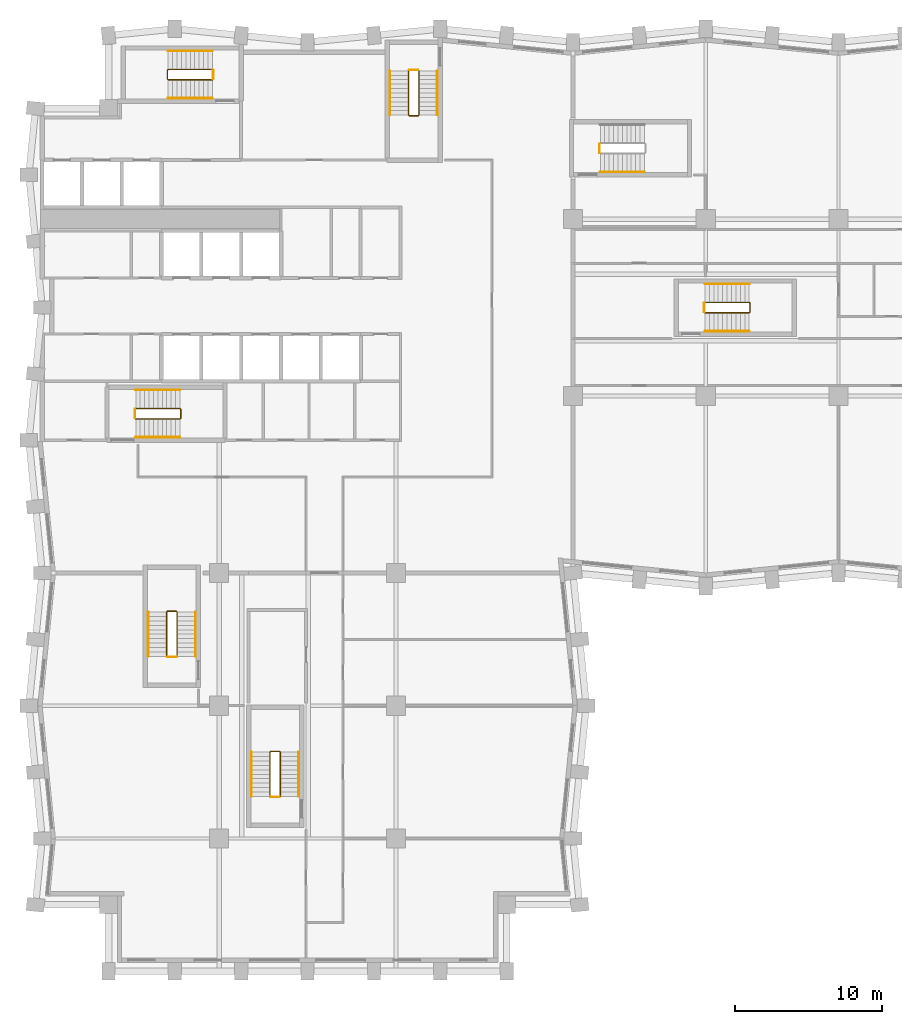
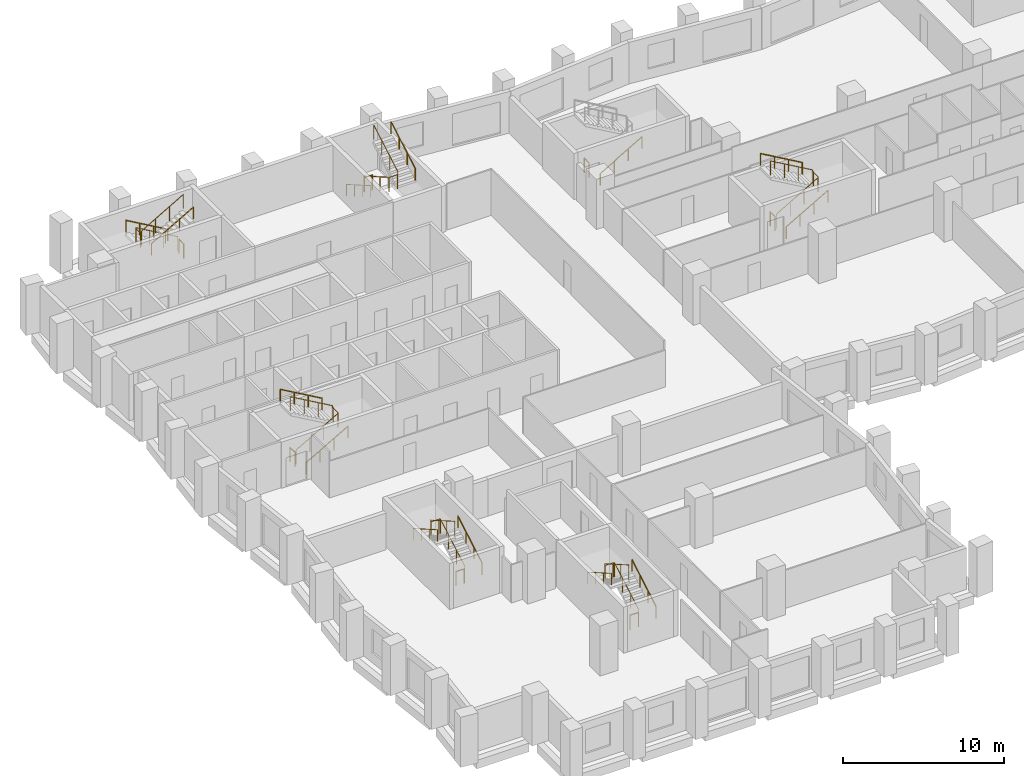
# One storey, part 10 of 11: 26 railings.
"""IFC4 building model written with IfcOpenShell, lengths in metres."""

from ifc_helpers import new_model, si_unit, direction, frame, origin, origin_2d, place, context, subcontext, project, spatial, circle, extrude, material, type_object, element, save


model = new_model("IFC4")

# Units and contexts
model_context = context("Model", 3, precision=1e-05, world=origin(), true_north=direction((0.0, 1.0)))
body_context = subcontext(model_context, "Body", "Model", "MODEL_VIEW")
ifc_project = project(units=[si_unit("LENGTHUNIT", "METRE"), si_unit("AREAUNIT", "SQUARE_METRE"), si_unit("VOLUMEUNIT", "CUBIC_METRE"), si_unit("PLANEANGLEUNIT", "RADIAN"), si_unit("MASSUNIT", "GRAM", prefix="KILO")], contexts=[model_context])

# Site, building, storey
site_placement = place(None, origin())
site = spatial("IfcSite", under=ifc_project, at=site_placement, CompositionType="ELEMENT")
building_placement = place(site_placement, origin())
building = spatial("IfcBuilding", under=site, at=building_placement, Name="Brondeck Convention Tower", CompositionType="ELEMENT")
storey_placement = place(building_placement, frame((0.0, 0.0, 107.5)))
storey = spatial("IfcBuildingStorey", under=building, at=storey_placement, Name="L25", CompositionType="ELEMENT", Elevation=107.5)

# Railings
ifc_material = material(Name="Steel S355", Category="steel")
railing_type_1 = type_object("IfcRailingType", Name="Stair guard 1100", PredefinedType="GUARDRAIL", material=ifc_material)
railing_1_placement = place(storey_placement, frame((6.35009765625, 37.449951171875, 0.172607421875)))
element("IfcRailing", 1, at=railing_1_placement, inside=storey, type_object=railing_type_1, Name="L25 ST-1 stair guard 1", PredefinedType="GUARDRAIL", context=body_context, shape_type="SweptSolid", body=[
    extrude(circle(Radius=0.02392578125, at=origin_2d()), frame((0.0, 0.0, 1.076171875), z_axis=(0.866619684472, 0.0, 0.498969260062), x_axis=(0.0, 1.0, 0.0)), (0.0, 0.0, 1.0), 3.461669921875),
    extrude(circle(Radius=0.02392578125, at=origin_2d()), frame((3.0, 0.0, 2.80322265625), z_axis=(0.705375805398, 0.708833529934, 0.0), x_axis=(-0.708833529934, 0.705375805398, 0.0)), (0.0, 0.0, 1.0), 0.070556640625),
    extrude(circle(Radius=0.02392578125, at=origin_2d()), frame((3.0498046875, 0.050048828125, 2.80322265625), z_axis=(0.0, 1.0, 0.0), x_axis=(-1.0, 0.0, 0.0)), (0.0, 0.0, 1.0), 0.60009765625),
    extrude(circle(Radius=0.02392578125, at=origin_2d()), frame((3.0498046875, 0.650146484375, 2.80322265625), z_axis=(-0.266832911964, 0.266832911964, 0.926067165051), x_axis=(-0.707106781187, -0.707106781187, 0.0)), (0.0, 0.0, 1.0), 0.186767578125),
    extrude(circle(Radius=0.02392578125, at=origin_2d()), frame((3.0, 0.699951171875, 2.97607421875), z_axis=(-0.866619684472, 0.0, 0.498969260062), x_axis=(0.0, -1.0, 0.0)), (0.0, 0.0, 1.0), 3.461669921875),
    extrude(circle(Radius=0.02099609375, at=origin_2d()), origin(), (0.0, 0.0, 1.0), 1.052001953125),
    extrude(circle(Radius=0.02099609375, at=origin_2d()), frame((1.0, 0.0, 0.57568359375)), (0.0, 0.0, 1.0), 1.052001953125),
    extrude(circle(Radius=0.02099609375, at=origin_2d()), frame((2.0, 0.0, 1.151611328125)), (0.0, 0.0, 1.0), 1.052001953125),
    extrude(circle(Radius=0.02099609375, at=origin_2d()), frame((3.0, 0.0, 1.727294921875)), (0.0, 0.0, 1.0), 1.052001953125),
    extrude(circle(Radius=0.02099609375, at=origin_2d()), frame((3.0498046875, 0.050048828125, 1.727294921875)), (0.0, 0.0, 1.0), 1.052001953125),
    extrude(circle(Radius=0.02099609375, at=origin_2d()), frame((3.0498046875, 0.650146484375, 1.727294921875)), (0.0, 0.0, 1.0), 1.052001953125),
    extrude(circle(Radius=0.02099609375, at=origin_2d()), frame((3.0, 0.699951171875, 1.900146484375)), (0.0, 0.0, 1.0), 1.052001953125),
    extrude(circle(Radius=0.02099609375, at=origin_2d()), frame((2.0, 0.699951171875, 2.475830078125)), (0.0, 0.0, 1.0), 1.052001953125),
    extrude(circle(Radius=0.02099609375, at=origin_2d()), frame((1.0, 0.699951171875, 3.0517578125)), (0.0, 0.0, 1.0), 1.052001953125),
    extrude(circle(Radius=0.02099609375, at=origin_2d()), frame((0.0, 0.699951171875, 3.62744140625)), (0.0, 0.0, 1.0), 1.052001953125),
])
railing_2_placement = place(storey_placement, frame((6.300048828125, 37.5, 0.0)))
element("IfcRailing", 2, at=railing_2_placement, inside=storey, type_object=railing_type_1, Name="L25 ST-1 stair guard 2", PredefinedType="GUARDRAIL", context=body_context, shape_type="SweptSolid", body=[
    extrude(circle(Radius=0.02392578125, at=origin_2d()), frame((0.0, 0.0, 1.076171875), z_axis=(0.0, 1.0, 0.0), x_axis=(-1.0, 0.0, 0.0)), (0.0, 0.0, 1.0), 0.60009765625),
    extrude(circle(Radius=0.02099609375, at=origin_2d()), origin(), (0.0, 0.0, 1.0), 1.052001953125),
    extrude(circle(Radius=0.02099609375, at=origin_2d()), frame((0.0, 0.60009765625, 0.0)), (0.0, 0.0, 1.0), 1.052001953125),
])
railing_3_placement = place(storey_placement, frame((24.85009765625, 61.050048828125, 0.172607421875)))
element("IfcRailing", 3, at=railing_3_placement, inside=storey, type_object=railing_type_1, Name="L25 ST-2 stair guard 1", PredefinedType="GUARDRAIL", context=body_context, shape_type="SweptSolid", body=[
    extrude(circle(Radius=0.02392578125, at=origin_2d()), frame((0.0, 0.0, 1.076171875), z_axis=(0.0, -0.866619684472, 0.498969260062), x_axis=(1.0, 0.0, 0.0)), (0.0, 0.0, 1.0), 3.461669921875),
    extrude(circle(Radius=0.02392578125, at=origin_2d()), frame((0.0, -3.0, 2.80322265625), z_axis=(0.705375805398, -0.708833529934, 0.0), x_axis=(0.708833529934, 0.705375805398, 0.0)), (0.0, 0.0, 1.0), 0.070556640625),
    extrude(circle(Radius=0.02392578125, at=origin_2d()), frame((0.0498046875, -3.050048828125, 2.80322265625), z_axis=(1.0, 0.0, 0.0), x_axis=(0.0, 1.0, 0.0)), (0.0, 0.0, 1.0), 0.60009765625),
    extrude(circle(Radius=0.02392578125, at=origin_2d()), frame((0.64990234375, -3.050048828125, 2.80322265625), z_axis=(0.267953482034, 0.267953482034, 0.925419830635), x_axis=(-0.707106781187, 0.707106781187, 0.0)), (0.0, 0.0, 1.0), 0.186767578125),
    extrude(circle(Radius=0.02392578125, at=origin_2d()), frame((0.699951171875, -3.0, 2.97607421875), z_axis=(0.0, 0.866619684472, 0.498969260062), x_axis=(-1.0, 0.0, 0.0)), (0.0, 0.0, 1.0), 3.461669921875),
    extrude(circle(Radius=0.02099609375, at=origin_2d()), origin(), (0.0, 0.0, 1.0), 1.052001953125),
    extrude(circle(Radius=0.02099609375, at=origin_2d()), frame((0.0, -1.0, 0.57568359375)), (0.0, 0.0, 1.0), 1.052001953125),
    extrude(circle(Radius=0.02099609375, at=origin_2d()), frame((0.0, -2.0, 1.151611328125)), (0.0, 0.0, 1.0), 1.052001953125),
    extrude(circle(Radius=0.02099609375, at=origin_2d()), frame((0.0, -3.0, 1.727294921875)), (0.0, 0.0, 1.0), 1.052001953125),
    extrude(circle(Radius=0.02099609375, at=origin_2d()), frame((0.0498046875, -3.050048828125, 1.727294921875)), (0.0, 0.0, 1.0), 1.052001953125),
    extrude(circle(Radius=0.02099609375, at=origin_2d()), frame((0.64990234375, -3.050048828125, 1.727294921875)), (0.0, 0.0, 1.0), 1.052001953125),
    extrude(circle(Radius=0.02099609375, at=origin_2d()), frame((0.699951171875, -3.0, 1.900146484375)), (0.0, 0.0, 1.0), 1.052001953125),
    extrude(circle(Radius=0.02099609375, at=origin_2d()), frame((0.699951171875, -2.0, 2.475830078125)), (0.0, 0.0, 1.0), 1.052001953125),
    extrude(circle(Radius=0.02099609375, at=origin_2d()), frame((0.699951171875, -1.0, 3.0517578125)), (0.0, 0.0, 1.0), 1.052001953125),
    extrude(circle(Radius=0.02099609375, at=origin_2d()), frame((0.699951171875, 0.0, 3.62744140625)), (0.0, 0.0, 1.0), 1.052001953125),
])
railing_4_placement = place(storey_placement, frame((24.89990234375, 61.10009765625, 0.0)))
element("IfcRailing", 4, at=railing_4_placement, inside=storey, type_object=railing_type_1, Name="L25 ST-2 stair guard 2", PredefinedType="GUARDRAIL", context=body_context, shape_type="SweptSolid", body=[
    extrude(circle(Radius=0.02392578125, at=origin_2d()), frame((0.0, 0.0, 1.076171875), z_axis=(1.0, 0.0, 0.0), x_axis=(0.0, 1.0, 0.0)), (0.0, 0.0, 1.0), 0.60009765625),
    extrude(circle(Radius=0.02099609375, at=origin_2d()), origin(), (0.0, 0.0, 1.0), 1.052001953125),
    extrude(circle(Radius=0.02099609375, at=origin_2d()), frame((0.60009765625, 0.0, 0.0)), (0.0, 0.0, 1.0), 1.052001953125),
])
railing_5_placement = place(storey_placement, frame((11.550048828125, 61.14990234375, 0.172607421875)))
element("IfcRailing", 5, at=railing_5_placement, inside=storey, type_object=railing_type_1, Name="L25 ST-3 stair guard 1", PredefinedType="GUARDRAIL", context=body_context, shape_type="SweptSolid", body=[
    extrude(circle(Radius=0.02392578125, at=origin_2d()), frame((0.0, 0.0, 1.076171875), z_axis=(-0.866619684472, 0.0, 0.498969260062), x_axis=(0.0, -1.0, 0.0)), (0.0, 0.0, 1.0), 3.461669921875),
    extrude(circle(Radius=0.02392578125, at=origin_2d()), frame((-3.0, 0.0, 2.80322265625), z_axis=(-0.708833529934, -0.705375805398, 0.0), x_axis=(0.705375805398, -0.708833529934, 0.0)), (0.0, 0.0, 1.0), 0.070556640625),
    extrude(circle(Radius=0.02392578125, at=origin_2d()), frame((-3.050048828125, -0.0498046875, 2.80322265625), z_axis=(0.0, -1.0, 0.0), x_axis=(1.0, 0.0, 0.0)), (0.0, 0.0, 1.0), 0.60009765625),
    extrude(circle(Radius=0.02392578125, at=origin_2d()), frame((-3.050048828125, -0.64990234375, 2.80322265625), z_axis=(0.267953482034, -0.267953482034, 0.925419830635), x_axis=(0.707106781187, 0.707106781187, 0.0)), (0.0, 0.0, 1.0), 0.186767578125),
    extrude(circle(Radius=0.02392578125, at=origin_2d()), frame((-3.0, -0.699951171875, 2.97607421875), z_axis=(0.866619684472, 0.0, 0.498969260062), x_axis=(0.0, 1.0, 0.0)), (0.0, 0.0, 1.0), 3.461669921875),
    extrude(circle(Radius=0.02099609375, at=origin_2d()), origin(), (0.0, 0.0, 1.0), 1.052001953125),
    extrude(circle(Radius=0.02099609375, at=origin_2d()), frame((-1.0, 0.0, 0.57568359375)), (0.0, 0.0, 1.0), 1.052001953125),
    extrude(circle(Radius=0.02099609375, at=origin_2d()), frame((-2.0, 0.0, 1.151611328125)), (0.0, 0.0, 1.0), 1.052001953125),
    extrude(circle(Radius=0.02099609375, at=origin_2d()), frame((-3.0, 0.0, 1.727294921875)), (0.0, 0.0, 1.0), 1.052001953125),
    extrude(circle(Radius=0.02099609375, at=origin_2d()), frame((-3.050048828125, -0.0498046875, 1.727294921875)), (0.0, 0.0, 1.0), 1.052001953125),
    extrude(circle(Radius=0.02099609375, at=origin_2d()), frame((-3.050048828125, -0.64990234375, 1.727294921875)), (0.0, 0.0, 1.0), 1.052001953125),
    extrude(circle(Radius=0.02099609375, at=origin_2d()), frame((-3.0, -0.699951171875, 1.900146484375)), (0.0, 0.0, 1.0), 1.052001953125),
    extrude(circle(Radius=0.02099609375, at=origin_2d()), frame((-2.0, -0.699951171875, 2.475830078125)), (0.0, 0.0, 1.0), 1.052001953125),
    extrude(circle(Radius=0.02099609375, at=origin_2d()), frame((-1.0, -0.699951171875, 3.0517578125)), (0.0, 0.0, 1.0), 1.052001953125),
    extrude(circle(Radius=0.02099609375, at=origin_2d()), frame((0.0, -0.699951171875, 3.62744140625)), (0.0, 0.0, 1.0), 1.052001953125),
])
railing_6_placement = place(storey_placement, frame((11.60009765625, 61.10009765625, 0.0)))
element("IfcRailing", 6, at=railing_6_placement, inside=storey, type_object=railing_type_1, Name="L25 ST-3 stair guard 2", PredefinedType="GUARDRAIL", context=body_context, shape_type="SweptSolid", body=[
    extrude(circle(Radius=0.02392578125, at=origin_2d()), frame((0.0, 0.0, 1.076171875), z_axis=(0.0, -1.0, 0.0), x_axis=(1.0, 0.0, 0.0)), (0.0, 0.0, 1.0), 0.60009765625),
    extrude(circle(Radius=0.02099609375, at=origin_2d()), origin(), (0.0, 0.0, 1.0), 1.052001953125),
    extrude(circle(Radius=0.02099609375, at=origin_2d()), frame((0.0, -0.60009765625, 0.0)), (0.0, 0.0, 1.0), 1.052001953125),
])
railing_7_placement = place(storey_placement, frame((37.800048828125, 55.5, 0.0)))
element("IfcRailing", 7, at=railing_7_placement, inside=storey, type_object=railing_type_1, Name="L25 ST-AE stair guard 2", PredefinedType="GUARDRAIL", context=body_context, shape_type="SweptSolid", body=[
    extrude(circle(Radius=0.02392578125, at=origin_2d()), frame((0.0, 0.0, 1.076171875), z_axis=(0.0, 1.0, 0.0), x_axis=(-1.0, 0.0, 0.0)), (0.0, 0.0, 1.0), 0.60009765625),
    extrude(circle(Radius=0.02099609375, at=origin_2d()), origin(), (0.0, 0.0, 1.0), 1.052001953125),
    extrude(circle(Radius=0.02099609375, at=origin_2d()), frame((0.0, 0.60009765625, 0.0)), (0.0, 0.0, 1.0), 1.052001953125),
])
railing_8_placement = place(storey_placement, frame((9.14990234375, 21.35009765625, 0.172607421875)))
element("IfcRailing", 8, at=railing_8_placement, inside=storey, type_object=railing_type_1, Name="L25 ST-BE stair guard 1", PredefinedType="GUARDRAIL", context=body_context, shape_type="SweptSolid", body=[
    extrude(circle(Radius=0.02392578125, at=origin_2d()), frame((0.0, 0.0, 1.076171875), z_axis=(0.0, 0.866619684472, 0.498969260062), x_axis=(-1.0, 0.0, 0.0)), (0.0, 0.0, 1.0), 3.461669921875),
    extrude(circle(Radius=0.02392578125, at=origin_2d()), frame((0.0, 3.0, 2.80322265625), z_axis=(-0.707106781187, 0.707106781187, 0.0), x_axis=(-0.707106781187, -0.707106781187, 0.0)), (0.0, 0.0, 1.0), 0.0703125),
    extrude(circle(Radius=0.02392578125, at=origin_2d()), frame((-0.0498046875, 3.0498046875, 2.80322265625), z_axis=(-1.0, 0.0, 0.0), x_axis=(0.0, -1.0, 0.0)), (0.0, 0.0, 1.0), 0.60009765625),
    extrude(circle(Radius=0.02392578125, at=origin_2d()), frame((-0.64990234375, 3.0498046875, 2.80322265625), z_axis=(-0.268047150085, -0.266739603011, 0.925743328097), x_axis=(0.705375805398, -0.708833529934, 0.0)), (0.0, 0.0, 1.0), 0.186767578125),
    extrude(circle(Radius=0.02392578125, at=origin_2d()), frame((-0.699951171875, 3.0, 2.97607421875), z_axis=(0.0, -0.866619684472, 0.498969260062), x_axis=(1.0, 0.0, 0.0)), (0.0, 0.0, 1.0), 3.461669921875),
    extrude(circle(Radius=0.02099609375, at=origin_2d()), origin(), (0.0, 0.0, 1.0), 1.052001953125),
    extrude(circle(Radius=0.02099609375, at=origin_2d()), frame((0.0, 1.0, 0.57568359375)), (0.0, 0.0, 1.0), 1.052001953125),
    extrude(circle(Radius=0.02099609375, at=origin_2d()), frame((0.0, 2.0, 1.151611328125)), (0.0, 0.0, 1.0), 1.052001953125),
    extrude(circle(Radius=0.02099609375, at=origin_2d()), frame((0.0, 3.0, 1.727294921875)), (0.0, 0.0, 1.0), 1.052001953125),
    extrude(circle(Radius=0.02099609375, at=origin_2d()), frame((-0.0498046875, 3.0498046875, 1.727294921875)), (0.0, 0.0, 1.0), 1.052001953125),
    extrude(circle(Radius=0.02099609375, at=origin_2d()), frame((-0.64990234375, 3.0498046875, 1.727294921875)), (0.0, 0.0, 1.0), 1.052001953125),
    extrude(circle(Radius=0.02099609375, at=origin_2d()), frame((-0.699951171875, 3.0, 1.900146484375)), (0.0, 0.0, 1.0), 1.052001953125),
    extrude(circle(Radius=0.02099609375, at=origin_2d()), frame((-0.699951171875, 2.0, 2.475830078125)), (0.0, 0.0, 1.0), 1.052001953125),
    extrude(circle(Radius=0.02099609375, at=origin_2d()), frame((-0.699951171875, 1.0, 3.0517578125)), (0.0, 0.0, 1.0), 1.052001953125),
    extrude(circle(Radius=0.02099609375, at=origin_2d()), frame((-0.699951171875, 0.0, 3.62744140625)), (0.0, 0.0, 1.0), 1.052001953125),
])
railing_9_placement = place(storey_placement, frame((9.10009765625, 21.300048828125, 0.0)))
element("IfcRailing", 9, at=railing_9_placement, inside=storey, type_object=railing_type_1, Name="L25 ST-BE stair guard 2", PredefinedType="GUARDRAIL", context=body_context, shape_type="SweptSolid", body=[
    extrude(circle(Radius=0.02392578125, at=origin_2d()), frame((0.0, 0.0, 1.076171875), z_axis=(-1.0, 0.0, 0.0), x_axis=(0.0, -1.0, 0.0)), (0.0, 0.0, 1.0), 0.60009765625),
    extrude(circle(Radius=0.02099609375, at=origin_2d()), origin(), (0.0, 0.0, 1.0), 1.052001953125),
    extrude(circle(Radius=0.02099609375, at=origin_2d()), frame((-0.60009765625, 0.0, 0.0)), (0.0, 0.0, 1.0), 1.052001953125),
])
railing_10_placement = place(storey_placement, frame((44.949951171875, 44.64990234375, 0.172607421875)))
element("IfcRailing", 10, at=railing_10_placement, inside=storey, type_object=railing_type_1, Name="L25 ST-AF stair guard 1", PredefinedType="GUARDRAIL", context=body_context, shape_type="SweptSolid", body=[
    extrude(circle(Radius=0.02392578125, at=origin_2d()), frame((0.0, 0.0, 1.076171875), z_axis=(0.866619684472, 0.0, 0.498969260062), x_axis=(0.0, 1.0, 0.0)), (0.0, 0.0, 1.0), 3.461669921875),
    extrude(circle(Radius=0.02392578125, at=origin_2d()), frame((3.0, 0.0, 2.80322265625), z_axis=(0.707106781187, 0.707106781187, 0.0), x_axis=(-0.707106781187, 0.707106781187, 0.0)), (0.0, 0.0, 1.0), 0.07080078125),
    extrude(circle(Radius=0.02392578125, at=origin_2d()), frame((3.050048828125, 0.050048828125, 2.80322265625), z_axis=(0.0, 1.0, 0.0), x_axis=(-1.0, 0.0, 0.0)), (0.0, 0.0, 1.0), 0.60009765625),
    extrude(circle(Radius=0.02392578125, at=origin_2d()), frame((3.050048828125, 0.650146484375, 2.80322265625), z_axis=(-0.267953482034, 0.267953482034, 0.925419830635), x_axis=(-0.707106781187, -0.707106781187, 0.0)), (0.0, 0.0, 1.0), 0.186767578125),
    extrude(circle(Radius=0.02392578125, at=origin_2d()), frame((3.0, 0.7001953125, 2.97607421875), z_axis=(-0.866619684472, 0.0, 0.498969260062), x_axis=(0.0, -1.0, 0.0)), (0.0, 0.0, 1.0), 3.461669921875),
    extrude(circle(Radius=0.02099609375, at=origin_2d()), origin(), (0.0, 0.0, 1.0), 1.052001953125),
    extrude(circle(Radius=0.02099609375, at=origin_2d()), frame((1.0, 0.0, 0.57568359375)), (0.0, 0.0, 1.0), 1.052001953125),
    extrude(circle(Radius=0.02099609375, at=origin_2d()), frame((2.0, 0.0, 1.151611328125)), (0.0, 0.0, 1.0), 1.052001953125),
    extrude(circle(Radius=0.02099609375, at=origin_2d()), frame((3.0, 0.0, 1.727294921875)), (0.0, 0.0, 1.0), 1.052001953125),
    extrude(circle(Radius=0.02099609375, at=origin_2d()), frame((3.050048828125, 0.050048828125, 1.727294921875)), (0.0, 0.0, 1.0), 1.052001953125),
    extrude(circle(Radius=0.02099609375, at=origin_2d()), frame((3.050048828125, 0.650146484375, 1.727294921875)), (0.0, 0.0, 1.0), 1.052001953125),
    extrude(circle(Radius=0.02099609375, at=origin_2d()), frame((3.0, 0.7001953125, 1.900146484375)), (0.0, 0.0, 1.0), 1.052001953125),
    extrude(circle(Radius=0.02099609375, at=origin_2d()), frame((2.0, 0.7001953125, 2.475830078125)), (0.0, 0.0, 1.0), 1.052001953125),
    extrude(circle(Radius=0.02099609375, at=origin_2d()), frame((1.0, 0.7001953125, 3.0517578125)), (0.0, 0.0, 1.0), 1.052001953125),
    extrude(circle(Radius=0.02099609375, at=origin_2d()), frame((0.0, 0.7001953125, 3.62744140625)), (0.0, 0.0, 1.0), 1.052001953125),
])
railing_11_placement = place(storey_placement, frame((44.89990234375, 44.699951171875, 0.0)))
element("IfcRailing", 11, at=railing_11_placement, inside=storey, type_object=railing_type_1, Name="L25 ST-AF stair guard 2", PredefinedType="GUARDRAIL", context=body_context, shape_type="SweptSolid", body=[
    extrude(circle(Radius=0.02392578125, at=origin_2d()), frame((0.0, 0.0, 1.076171875), z_axis=(0.0, 1.0, 0.0), x_axis=(-1.0, 0.0, 0.0)), (0.0, 0.0, 1.0), 0.60009765625),
    extrude(circle(Radius=0.02099609375, at=origin_2d()), origin(), (0.0, 0.0, 1.0), 1.052001953125),
    extrude(circle(Radius=0.02099609375, at=origin_2d()), frame((0.0, 0.60009765625, 0.0)), (0.0, 0.0, 1.0), 1.052001953125),
])
railing_12_placement = place(storey_placement, frame((16.14990234375, 11.85009765625, 0.172607421875)))
element("IfcRailing", 12, at=railing_12_placement, inside=storey, type_object=railing_type_1, Name="L25 ST-BF stair guard 1", PredefinedType="GUARDRAIL", context=body_context, shape_type="SweptSolid", body=[
    extrude(circle(Radius=0.02392578125, at=origin_2d()), frame((0.0, 0.0, 1.076171875), z_axis=(0.0, 0.866619684472, 0.498969260062), x_axis=(-1.0, 0.0, 0.0)), (0.0, 0.0, 1.0), 3.461669921875),
    extrude(circle(Radius=0.02392578125, at=origin_2d()), frame((0.0, 3.0, 2.80322265625), z_axis=(-0.707106781187, 0.707106781187, 0.0), x_axis=(-0.707106781187, -0.707106781187, 0.0)), (0.0, 0.0, 1.0), 0.0703125),
    extrude(circle(Radius=0.02392578125, at=origin_2d()), frame((-0.0498046875, 3.0498046875, 2.80322265625), z_axis=(-1.0, 0.0, 0.0), x_axis=(0.0, -1.0, 0.0)), (0.0, 0.0, 1.0), 0.60009765625),
    extrude(circle(Radius=0.02392578125, at=origin_2d()), frame((-0.64990234375, 3.0498046875, 2.80322265625), z_axis=(-0.268047150085, -0.266739603011, 0.925743328097), x_axis=(0.705375805398, -0.708833529934, 0.0)), (0.0, 0.0, 1.0), 0.186767578125),
    extrude(circle(Radius=0.02392578125, at=origin_2d()), frame((-0.699951171875, 3.0, 2.97607421875), z_axis=(0.0, -0.866619684472, 0.498969260062), x_axis=(1.0, 0.0, 0.0)), (0.0, 0.0, 1.0), 3.461669921875),
    extrude(circle(Radius=0.02099609375, at=origin_2d()), origin(), (0.0, 0.0, 1.0), 1.052001953125),
    extrude(circle(Radius=0.02099609375, at=origin_2d()), frame((0.0, 1.0, 0.57568359375)), (0.0, 0.0, 1.0), 1.052001953125),
    extrude(circle(Radius=0.02099609375, at=origin_2d()), frame((0.0, 2.0, 1.151611328125)), (0.0, 0.0, 1.0), 1.052001953125),
    extrude(circle(Radius=0.02099609375, at=origin_2d()), frame((0.0, 3.0, 1.727294921875)), (0.0, 0.0, 1.0), 1.052001953125),
    extrude(circle(Radius=0.02099609375, at=origin_2d()), frame((-0.0498046875, 3.0498046875, 1.727294921875)), (0.0, 0.0, 1.0), 1.052001953125),
    extrude(circle(Radius=0.02099609375, at=origin_2d()), frame((-0.64990234375, 3.0498046875, 1.727294921875)), (0.0, 0.0, 1.0), 1.052001953125),
    extrude(circle(Radius=0.02099609375, at=origin_2d()), frame((-0.699951171875, 3.0, 1.900146484375)), (0.0, 0.0, 1.0), 1.052001953125),
    extrude(circle(Radius=0.02099609375, at=origin_2d()), frame((-0.699951171875, 2.0, 2.475830078125)), (0.0, 0.0, 1.0), 1.052001953125),
    extrude(circle(Radius=0.02099609375, at=origin_2d()), frame((-0.699951171875, 1.0, 3.0517578125)), (0.0, 0.0, 1.0), 1.052001953125),
    extrude(circle(Radius=0.02099609375, at=origin_2d()), frame((-0.699951171875, 0.0, 3.62744140625)), (0.0, 0.0, 1.0), 1.052001953125),
])
railing_13_placement = place(storey_placement, frame((16.10009765625, 11.800048828125, 0.0)))
element("IfcRailing", 13, at=railing_13_placement, inside=storey, type_object=railing_type_1, Name="L25 ST-BF stair guard 2", PredefinedType="GUARDRAIL", context=body_context, shape_type="SweptSolid", body=[
    extrude(circle(Radius=0.02392578125, at=origin_2d()), frame((0.0, 0.0, 1.076171875), z_axis=(-1.0, 0.0, 0.0), x_axis=(0.0, -1.0, 0.0)), (0.0, 0.0, 1.0), 0.60009765625),
    extrude(circle(Radius=0.02099609375, at=origin_2d()), origin(), (0.0, 0.0, 1.0), 1.052001953125),
    extrude(circle(Radius=0.02099609375, at=origin_2d()), frame((-0.60009765625, 0.0, 0.0)), (0.0, 0.0, 1.0), 1.052001953125),
])
railing_type_2 = type_object("IfcRailingType", Name="Stair handrail", PredefinedType="HANDRAIL", material=ifc_material)
railing_14_placement = place(storey_placement, frame((6.35009765625, 36.199951171875, 0.172607421875)))
element("IfcRailing", 14, at=railing_14_placement, inside=storey, type_object=railing_type_2, Name="L25 ST-1 stair handrail 1", PredefinedType="HANDRAIL", context=body_context, shape_type="SweptSolid", body=[
    extrude(circle(Radius=0.02392578125, at=origin_2d()), frame((0.0, 0.0, 0.8759765625), z_axis=(0.866619684472, 0.0, 0.498969260062), x_axis=(0.0, 1.0, 0.0)), (0.0, 0.0, 1.0), 3.461669921875),
    extrude(circle(Radius=0.02099609375, at=origin_2d()), origin(), (0.0, 0.0, 1.0), 0.851806640625),
    extrude(circle(Radius=0.02099609375, at=origin_2d()), frame((1.0, 0.0, 0.57568359375)), (0.0, 0.0, 1.0), 0.851806640625),
    extrude(circle(Radius=0.02099609375, at=origin_2d()), frame((2.0, 0.0, 1.151611328125)), (0.0, 0.0, 1.0), 0.851806640625),
    extrude(circle(Radius=0.02099609375, at=origin_2d()), frame((3.0, 0.0, 1.727294921875)), (0.0, 0.0, 1.0), 0.851806640625),
])
railing_15_placement = place(storey_placement, frame((9.35009765625, 39.39990234375, 2.07275390625)))
element("IfcRailing", 15, at=railing_15_placement, inside=storey, type_object=railing_type_2, Name="L25 ST-1 stair handrail 2", PredefinedType="HANDRAIL", context=body_context, shape_type="SweptSolid", body=[
    extrude(circle(Radius=0.02392578125, at=origin_2d()), frame((0.0, 0.0, 0.8759765625), z_axis=(-0.866619684472, 0.0, 0.498969260062), x_axis=(0.0, -1.0, 0.0)), (0.0, 0.0, 1.0), 3.461669921875),
    extrude(circle(Radius=0.02099609375, at=origin_2d()), origin(), (0.0, 0.0, 1.0), 0.851806640625),
    extrude(circle(Radius=0.02099609375, at=origin_2d()), frame((-1.0, 0.0, 0.57568359375)), (0.0, 0.0, 1.0), 0.851806640625),
    extrude(circle(Radius=0.02099609375, at=origin_2d()), frame((-2.0, 0.0, 1.151611328125)), (0.0, 0.0, 1.0), 0.851806640625),
    extrude(circle(Radius=0.02099609375, at=origin_2d()), frame((-3.0, 0.0, 1.727294921875)), (0.0, 0.0, 1.0), 0.851806640625),
])
railing_16_placement = place(storey_placement, frame((23.60009765625, 61.050048828125, 0.172607421875)))
element("IfcRailing", 16, at=railing_16_placement, inside=storey, type_object=railing_type_2, Name="L25 ST-2 stair handrail 1", PredefinedType="HANDRAIL", context=body_context, shape_type="SweptSolid", body=[
    extrude(circle(Radius=0.02392578125, at=origin_2d()), frame((0.0, 0.0, 0.8759765625), z_axis=(0.0, -0.866619684472, 0.498969260062), x_axis=(1.0, 0.0, 0.0)), (0.0, 0.0, 1.0), 3.461669921875),
    extrude(circle(Radius=0.02099609375, at=origin_2d()), origin(), (0.0, 0.0, 1.0), 0.851806640625),
    extrude(circle(Radius=0.02099609375, at=origin_2d()), frame((0.0, -1.0, 0.57568359375)), (0.0, 0.0, 1.0), 0.851806640625),
    extrude(circle(Radius=0.02099609375, at=origin_2d()), frame((0.0, -2.0, 1.151611328125)), (0.0, 0.0, 1.0), 0.851806640625),
    extrude(circle(Radius=0.02099609375, at=origin_2d()), frame((0.0, -3.0, 1.727294921875)), (0.0, 0.0, 1.0), 0.851806640625),
])
railing_17_placement = place(storey_placement, frame((26.800048828125, 58.050048828125, 2.07275390625)))
element("IfcRailing", 17, at=railing_17_placement, inside=storey, type_object=railing_type_2, Name="L25 ST-2 stair handrail 2", PredefinedType="HANDRAIL", context=body_context, shape_type="SweptSolid", body=[
    extrude(circle(Radius=0.02392578125, at=origin_2d()), frame((0.0, 0.0, 0.8759765625), z_axis=(0.0, 0.866619684472, 0.498969260062), x_axis=(-1.0, 0.0, 0.0)), (0.0, 0.0, 1.0), 3.461669921875),
    extrude(circle(Radius=0.02099609375, at=origin_2d()), origin(), (0.0, 0.0, 1.0), 0.851806640625),
    extrude(circle(Radius=0.02099609375, at=origin_2d()), frame((0.0, 1.0, 0.57568359375)), (0.0, 0.0, 1.0), 0.851806640625),
    extrude(circle(Radius=0.02099609375, at=origin_2d()), frame((0.0, 2.0, 1.151611328125)), (0.0, 0.0, 1.0), 0.851806640625),
    extrude(circle(Radius=0.02099609375, at=origin_2d()), frame((0.0, 3.0, 1.727294921875)), (0.0, 0.0, 1.0), 0.851806640625),
])
railing_18_placement = place(storey_placement, frame((11.550048828125, 62.39990234375, 0.172607421875)))
element("IfcRailing", 18, at=railing_18_placement, inside=storey, type_object=railing_type_2, Name="L25 ST-3 stair handrail 1", PredefinedType="HANDRAIL", context=body_context, shape_type="SweptSolid", body=[
    extrude(circle(Radius=0.02392578125, at=origin_2d()), frame((0.0, 0.0, 0.8759765625), z_axis=(-0.866619684472, 0.0, 0.498969260062), x_axis=(0.0, -1.0, 0.0)), (0.0, 0.0, 1.0), 3.461669921875),
    extrude(circle(Radius=0.02099609375, at=origin_2d()), origin(), (0.0, 0.0, 1.0), 0.851806640625),
    extrude(circle(Radius=0.02099609375, at=origin_2d()), frame((-1.0, 0.0, 0.57568359375)), (0.0, 0.0, 1.0), 0.851806640625),
    extrude(circle(Radius=0.02099609375, at=origin_2d()), frame((-2.0, 0.0, 1.151611328125)), (0.0, 0.0, 1.0), 0.851806640625),
    extrude(circle(Radius=0.02099609375, at=origin_2d()), frame((-3.0, 0.0, 1.727294921875)), (0.0, 0.0, 1.0), 0.851806640625),
])
for number, where, name in (
    (19, (8.550048828125, 59.199951171875, 2.07275390625), "L25 ST-3 stair handrail 2"),
    (20, (37.85009765625, 54.199951171875, 0.172607421875), "L25 ST-AE stair handrail 1"),
):
    element("IfcRailing", number, at=place(storey_placement, frame(where)), inside=storey, type_object=railing_type_2, Name=name, PredefinedType="HANDRAIL", context=body_context, shape_type="SweptSolid", body=[
        extrude(circle(Radius=0.02392578125, at=origin_2d()), frame((0.0, 0.0, 0.8759765625), z_axis=(0.866619684472, 0.0, 0.498969260062), x_axis=(0.0, 1.0, 0.0)), (0.0, 0.0, 1.0), 3.461669921875),
        extrude(circle(Radius=0.02099609375, at=origin_2d()), origin(), (0.0, 0.0, 1.0), 0.851806640625),
        extrude(circle(Radius=0.02099609375, at=origin_2d()), frame((1.0, 0.0, 0.57568359375)), (0.0, 0.0, 1.0), 0.851806640625),
        extrude(circle(Radius=0.02099609375, at=origin_2d()), frame((2.0, 0.0, 1.151611328125)), (0.0, 0.0, 1.0), 0.851806640625),
        extrude(circle(Radius=0.02099609375, at=origin_2d()), frame((3.0, 0.0, 1.727294921875)), (0.0, 0.0, 1.0), 0.851806640625),
    ])
railing_19_placement = place(storey_placement, frame((10.39990234375, 21.35009765625, 0.172607421875)))
element("IfcRailing", 21, at=railing_19_placement, inside=storey, type_object=railing_type_2, Name="L25 ST-BE stair handrail 1", PredefinedType="HANDRAIL", context=body_context, shape_type="SweptSolid", body=[
    extrude(circle(Radius=0.02392578125, at=origin_2d()), frame((0.0, 0.0, 0.8759765625), z_axis=(0.0, 0.866619684472, 0.498969260062), x_axis=(-1.0, 0.0, 0.0)), (0.0, 0.0, 1.0), 3.461669921875),
    extrude(circle(Radius=0.02099609375, at=origin_2d()), origin(), (0.0, 0.0, 1.0), 0.851806640625),
    extrude(circle(Radius=0.02099609375, at=origin_2d()), frame((0.0, 1.0, 0.57568359375)), (0.0, 0.0, 1.0), 0.851806640625),
    extrude(circle(Radius=0.02099609375, at=origin_2d()), frame((0.0, 2.0, 1.151611328125)), (0.0, 0.0, 1.0), 0.851806640625),
    extrude(circle(Radius=0.02099609375, at=origin_2d()), frame((0.0, 3.0, 1.727294921875)), (0.0, 0.0, 1.0), 0.851806640625),
])
railing_20_placement = place(storey_placement, frame((7.199951171875, 24.35009765625, 2.07275390625)))
element("IfcRailing", 22, at=railing_20_placement, inside=storey, type_object=railing_type_2, Name="L25 ST-BE stair handrail 2", PredefinedType="HANDRAIL", context=body_context, shape_type="SweptSolid", body=[
    extrude(circle(Radius=0.02392578125, at=origin_2d()), frame((0.0, 0.0, 0.8759765625), z_axis=(0.0, -0.866619684472, 0.498969260062), x_axis=(1.0, 0.0, 0.0)), (0.0, 0.0, 1.0), 3.461669921875),
    extrude(circle(Radius=0.02099609375, at=origin_2d()), origin(), (0.0, 0.0, 1.0), 0.851806640625),
    extrude(circle(Radius=0.02099609375, at=origin_2d()), frame((0.0, -1.0, 0.57568359375)), (0.0, 0.0, 1.0), 0.851806640625),
    extrude(circle(Radius=0.02099609375, at=origin_2d()), frame((0.0, -2.0, 1.151611328125)), (0.0, 0.0, 1.0), 0.851806640625),
    extrude(circle(Radius=0.02099609375, at=origin_2d()), frame((0.0, -3.0, 1.727294921875)), (0.0, 0.0, 1.0), 0.851806640625),
])
railing_21_placement = place(storey_placement, frame((44.949951171875, 43.39990234375, 0.172607421875)))
element("IfcRailing", 23, at=railing_21_placement, inside=storey, type_object=railing_type_2, Name="L25 ST-AF stair handrail 1", PredefinedType="HANDRAIL", context=body_context, shape_type="SweptSolid", body=[
    extrude(circle(Radius=0.02392578125, at=origin_2d()), frame((0.0, 0.0, 0.8759765625), z_axis=(0.866619684472, 0.0, 0.498969260062), x_axis=(0.0, 1.0, 0.0)), (0.0, 0.0, 1.0), 3.461669921875),
    extrude(circle(Radius=0.02099609375, at=origin_2d()), origin(), (0.0, 0.0, 1.0), 0.851806640625),
    extrude(circle(Radius=0.02099609375, at=origin_2d()), frame((1.0, 0.0, 0.57568359375)), (0.0, 0.0, 1.0), 0.851806640625),
    extrude(circle(Radius=0.02099609375, at=origin_2d()), frame((2.0, 0.0, 1.151611328125)), (0.0, 0.0, 1.0), 0.851806640625),
    extrude(circle(Radius=0.02099609375, at=origin_2d()), frame((3.0, 0.0, 1.727294921875)), (0.0, 0.0, 1.0), 0.851806640625),
])
railing_22_placement = place(storey_placement, frame((47.949951171875, 46.60009765625, 2.07275390625)))
element("IfcRailing", 24, at=railing_22_placement, inside=storey, type_object=railing_type_2, Name="L25 ST-AF stair handrail 2", PredefinedType="HANDRAIL", context=body_context, shape_type="SweptSolid", body=[
    extrude(circle(Radius=0.02392578125, at=origin_2d()), frame((0.0, 0.0, 0.8759765625), z_axis=(-0.866619684472, 0.0, 0.498969260062), x_axis=(0.0, -1.0, 0.0)), (0.0, 0.0, 1.0), 3.461669921875),
    extrude(circle(Radius=0.02099609375, at=origin_2d()), origin(), (0.0, 0.0, 1.0), 0.851806640625),
    extrude(circle(Radius=0.02099609375, at=origin_2d()), frame((-1.0, 0.0, 0.57568359375)), (0.0, 0.0, 1.0), 0.851806640625),
    extrude(circle(Radius=0.02099609375, at=origin_2d()), frame((-2.0, 0.0, 1.151611328125)), (0.0, 0.0, 1.0), 0.851806640625),
    extrude(circle(Radius=0.02099609375, at=origin_2d()), frame((-3.0, 0.0, 1.727294921875)), (0.0, 0.0, 1.0), 0.851806640625),
])
railing_23_placement = place(storey_placement, frame((17.39990234375, 11.85009765625, 0.172607421875)))
element("IfcRailing", 25, at=railing_23_placement, inside=storey, type_object=railing_type_2, Name="L25 ST-BF stair handrail 1", PredefinedType="HANDRAIL", context=body_context, shape_type="SweptSolid", body=[
    extrude(circle(Radius=0.02392578125, at=origin_2d()), frame((0.0, 0.0, 0.8759765625), z_axis=(0.0, 0.866619684472, 0.498969260062), x_axis=(-1.0, 0.0, 0.0)), (0.0, 0.0, 1.0), 3.461669921875),
    extrude(circle(Radius=0.02099609375, at=origin_2d()), origin(), (0.0, 0.0, 1.0), 0.851806640625),
    extrude(circle(Radius=0.02099609375, at=origin_2d()), frame((0.0, 1.0, 0.57568359375)), (0.0, 0.0, 1.0), 0.851806640625),
    extrude(circle(Radius=0.02099609375, at=origin_2d()), frame((0.0, 2.0, 1.151611328125)), (0.0, 0.0, 1.0), 0.851806640625),
    extrude(circle(Radius=0.02099609375, at=origin_2d()), frame((0.0, 3.0, 1.727294921875)), (0.0, 0.0, 1.0), 0.851806640625),
])
railing_24_placement = place(storey_placement, frame((14.199951171875, 14.85009765625, 2.07275390625)))
element("IfcRailing", 26, at=railing_24_placement, inside=storey, type_object=railing_type_2, Name="L25 ST-BF stair handrail 2", PredefinedType="HANDRAIL", context=body_context, shape_type="SweptSolid", body=[
    extrude(circle(Radius=0.02392578125, at=origin_2d()), frame((0.0, 0.0, 0.8759765625), z_axis=(0.0, -0.866619684472, 0.498969260062), x_axis=(1.0, 0.0, 0.0)), (0.0, 0.0, 1.0), 3.461669921875),
    extrude(circle(Radius=0.02099609375, at=origin_2d()), origin(), (0.0, 0.0, 1.0), 0.851806640625),
    extrude(circle(Radius=0.02099609375, at=origin_2d()), frame((0.0, -1.0, 0.57568359375)), (0.0, 0.0, 1.0), 0.851806640625),
    extrude(circle(Radius=0.02099609375, at=origin_2d()), frame((0.0, -2.0, 1.151611328125)), (0.0, 0.0, 1.0), 0.851806640625),
    extrude(circle(Radius=0.02099609375, at=origin_2d()), frame((0.0, -3.0, 1.727294921875)), (0.0, 0.0, 1.0), 0.851806640625),
])

save(model, "model.ifc")
